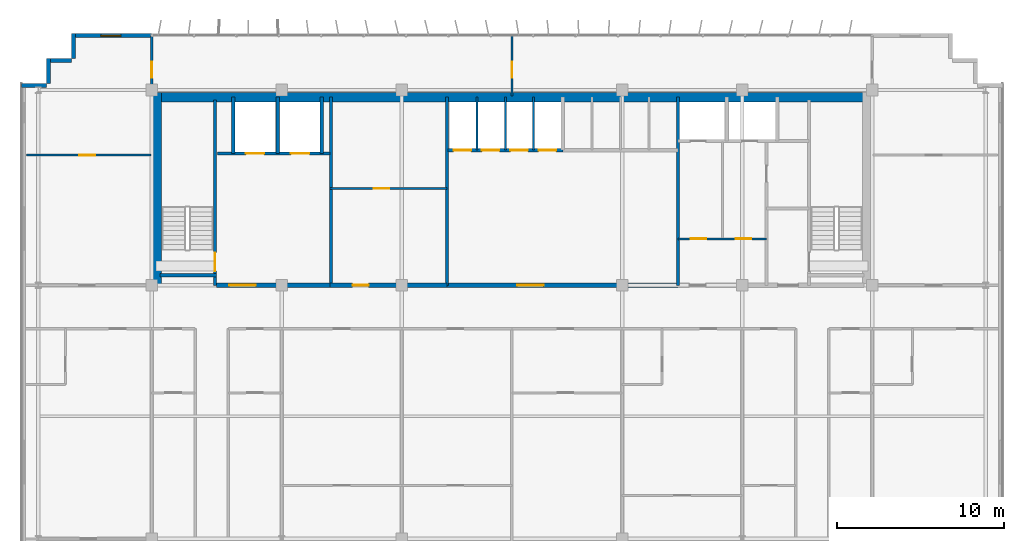
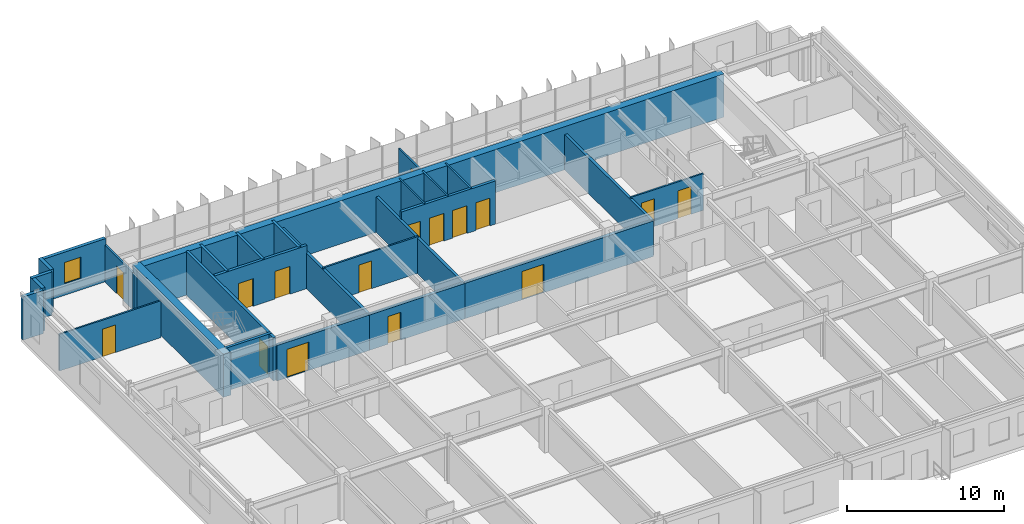
# One storey, part 17 of 20: 28 walls, 16 doors, 1 window, 17 openings.
"""IFC4 building model written with IfcOpenShell, lengths in metres."""

from ifc_helpers import new_model, si_unit, direction, frame, frame_2d, origin, place, context, subcontext, project, spatial, rectangle, extrude, source, transform, mapped, material, layer, layer_set, type_object, element, fill, save


model = new_model("IFC4")

# Units and contexts
model_context = context("Model", 3, precision=1e-05, world=origin(), true_north=direction((0.0, 1.0)))
body_context = subcontext(model_context, "Body", "Model", "MODEL_VIEW")
ifc_project = project(units=[si_unit("LENGTHUNIT", "METRE"), si_unit("AREAUNIT", "SQUARE_METRE"), si_unit("VOLUMEUNIT", "CUBIC_METRE"), si_unit("PLANEANGLEUNIT", "RADIAN"), si_unit("MASSUNIT", "GRAM", prefix="KILO")], contexts=[model_context])

# Site, building, storey
site_placement = place(None, origin())
site = spatial("IfcSite", under=ifc_project, at=site_placement, CompositionType="ELEMENT")
building_placement = place(site_placement, origin())
building = spatial("IfcBuilding", under=site, at=building_placement, Name="Trelvane Seafront Commons", CompositionType="ELEMENT")
storey_placement = place(building_placement, frame((0.0, 0.0, 168.10009765625)))
storey = spatial("IfcBuildingStorey", under=building, at=storey_placement, Name="L44", CompositionType="ELEMENT", Elevation=168.10009765625)

# Wall, opening, window
ifc_material_1 = material(Name="Precast concrete C40/50", Category="concrete")
ifc_layer_1 = layer(ifc_material_1, 0.239990234375, Name="ARCH-WALL-EXT240")
ifc_layer_set_1 = layer_set([ifc_layer_1], Name="Precast concrete C40/50")
wall_type_1 = type_object("IfcWallType", Name="ARCH-WALL-EXT240", PredefinedType="SOLIDWALL", material=ifc_layer_set_1)
wall_1_placement = place(storey_placement, frame((10.89990234375, 48.3701171875, 0.0), z_axis=(0.0, 0.0, 1.0), x_axis=(1.0, 0.0, 0.0)))
wall_1 = element("IfcWall", 1, at=wall_1_placement, inside=storey, type_object=wall_type_1, Name="EW-L44-NW-0863", PredefinedType="SOLIDWALL", context=body_context, shape_type="SweptSolid", body=[
    extrude(rectangle(XDim=4.7001953125, YDim=0.239990234375, at=frame_2d((2.35009765625, 0.0))), origin(), (0.0, 0.0, 1.0), 3.349853515625),
])
opening_1_placement = place(wall_1_placement, frame((1.658935546875, 0.0, 0.89990234375)))
opening_1 = element("IfcOpeningElement", 2, at=opening_1_placement, cuts=wall_1, Name="Opening W05", PredefinedType="OPENING", context=body_context, shape_type="SweptSolid", body=[
    extrude(rectangle(XDim=1.199951171875, YDim=1.64990234375, at=frame_2d((0.60009765625, 0.824951171875))), frame((0.0, 0.1298828125, 0.0), z_axis=(0.0, -1.0, 0.0), x_axis=(1.0, 0.0, 0.0)), (0.0, 0.0, 1.0), 0.260009765625),
])
ifc_material_2 = material(Name="Low-E coastal double glazing", Category="glass")
window_type = type_object("IfcWindowType", Name="ARCH-WIN-W05", PartitioningType="SINGLE_PANEL", PredefinedType="WINDOW", material=ifc_material_2)
shared_shape_1 = source(origin(), body_context, "Body", "SweptSolid", [
    extrude(rectangle(XDim=1.199951171875, YDim=1.64990234375, at=frame_2d((0.60009765625, 0.824951171875))), frame((0.0, 0.030029296875, 0.0), z_axis=(0.0, -1.0, 0.0), x_axis=(1.0, 0.0, 0.0)), (0.0, 0.0, 1.0), 0.06005859375),
])
window_placement = place(opening_1_placement, origin())
window = element("IfcWindow", 3, at=window_placement, inside=storey, type_object=window_type, Name="WIN-L44-01038", OverallHeight=1.64990234375, OverallWidth=1.199951171875, PartitioningType="SINGLE_PANEL", PredefinedType="WINDOW", context=body_context, shape_type="MappedRepresentation", body=[
    mapped(shared_shape_1, transform((0.0, 0.0, 0.0), x_axis=(1.0, 0.0, 0.0), y_axis=(0.0, 1.0, 0.0), z_axis=(0.0, 0.0, 1.0), scale=1.0)),
])
fill(opening_1, window)

# Walls
for number, where, z_axis, x_axis, name in (
    (4, (7.800048828125, 45.3798828125, 0.0), (0.0, 0.0, 1.0), (1.0, 0.0, 0.0), "EW-L44-00869"),
    (5, (9.419921875, 45.5, 0.0), (0.0, 0.0, 1.0), (0.0, 1.0, 0.0), "EW-L44-00870"),
    (6, (9.300048828125, 46.8798828125, 0.0), (0.0, 0.0, 1.0), (1.0, 0.0, 0.0), "EW-L44-00871"),
    (7, (10.919921875, 47.0, 0.0), (0.0, 0.0, 1.0), (0.0, 1.0, 0.0), "EW-L44-00872"),
):
    element("IfcWall", number, at=place(storey_placement, frame(where, z_axis=z_axis, x_axis=x_axis)), inside=storey, type_object=wall_type_1, Name=name, PredefinedType="SOLIDWALL", context=body_context, shape_type="SweptSolid", body=[
        extrude(rectangle(XDim=1.5, YDim=0.239990234375, at=frame_2d((0.75, 0.0))), origin(), (0.0, 0.0, 1.0), 3.349853515625),
    ])

# Wall, opening, door
ifc_material_3 = material(Name="Concrete C40/50", Category="concrete")
ifc_layer_2 = layer(ifc_material_3, 0.25, Name="ARCH-WALL-FIRE250")
ifc_layer_set_2 = layer_set([ifc_layer_2], Name="Concrete C40/50")
wall_type_2 = type_object("IfcWallType", Name="ARCH-WALL-FIRE250", PredefinedType="PARTITIONING", material=ifc_layer_set_2)
wall_2_placement = place(storey_placement, frame((19.5, 33.39990234375, 0.0), z_axis=(0.0, 0.0, 1.0), x_axis=(1.0, 0.0, 0.0)))
wall_2 = element("IfcWall", 8, at=wall_2_placement, inside=storey, type_object=wall_type_2, Name="W-L44-CS-FFL-013", PredefinedType="PARTITIONING", context=body_context, shape_type="SweptSolid", body=[
    extrude(rectangle(XDim=6.800048828125, YDim=0.25, at=frame_2d((3.39990234375, 0.0))), origin(), (0.0, 0.0, 1.0), 2.75),
])
opening_2_placement = place(wall_2_placement, frame((0.75, 0.0, 0.0)))
opening_2 = element("IfcOpeningElement", 9, at=opening_2_placement, cuts=wall_2, Name="Opening FD-L44-05", PredefinedType="OPENING", context=body_context, shape_type="SweptSolid", body=[
    extrude(rectangle(XDim=1.60009765625, YDim=2.199951171875, at=frame_2d((0.800048828125, 1.10009765625))), frame((0.0, 0.135009765625, 0.0), z_axis=(0.0, -1.0, 0.0), x_axis=(1.0, 0.0, 0.0)), (0.0, 0.0, 1.0), 0.27001953125),
])
ifc_material_4 = material(Name="Powder-coated aluminium frame", Category="aluminium")
door_type_1 = type_object("IfcDoorType", Name="ARCH-DR-FD60-1600", OperationType="DOUBLE_DOOR_SINGLE_SWING", PredefinedType="DOOR", material=ifc_material_4)
shared_shape_2 = source(origin(), body_context, "Body", "SweptSolid", [
    extrude(rectangle(XDim=1.60009765625, YDim=2.199951171875, at=frame_2d((0.800048828125, 1.10009765625))), frame((0.0, 0.02490234375, 0.0), z_axis=(0.0, -1.0, 0.0), x_axis=(1.0, 0.0, 0.0)), (0.0, 0.0, 1.0), 0.050048828125),
])
door_1_placement = place(opening_2_placement, origin())
door_1 = element("IfcDoor", 10, at=door_1_placement, inside=storey, type_object=door_type_1, Name="L44 Firefighting Lift Lobby Double Fire Door", OperationType="DOUBLE_DOOR_SINGLE_SWING", OverallHeight=2.199951171875, OverallWidth=1.60009765625, PredefinedType="DOOR", context=body_context, shape_type="MappedRepresentation", body=[
    mapped(shared_shape_2, transform((0.0, 0.0, 0.0), x_axis=(1.0, 0.0, 0.0), y_axis=(0.0, 1.0, 0.0), z_axis=(0.0, 0.0, 1.0), scale=1.0)),
])
fill(opening_2, door_1)

wall_3_placement = place(storey_placement, frame((26.300048828125, 33.39990234375, 0.0), z_axis=(0.0, 0.0, 1.0), x_axis=(1.0, 0.0, 0.0)))
wall_3 = element("IfcWall", 11, at=wall_3_placement, inside=storey, type_object=wall_type_2, Name="W-L44-CS-FPL-026", PredefinedType="PARTITIONING", context=body_context, shape_type="SweptSolid", body=[
    extrude(rectangle(XDim=7.0, YDim=0.25, at=frame_2d((3.5, 0.0))), origin(), (0.0, 0.0, 1.0), 2.75),
])
opening_3_placement = place(wall_3_placement, frame((1.35009765625, 0.0, 0.0)))
opening_3 = element("IfcOpeningElement", 12, at=opening_3_placement, cuts=wall_3, Name="Opening D-L44-11", PredefinedType="OPENING", context=body_context, shape_type="SweptSolid", body=[
    extrude(rectangle(XDim=0.949951171875, YDim=2.14990234375, at=frame_2d((0.47509765625, 1.074951171875))), frame((0.0, 0.135009765625, 0.0), z_axis=(0.0, -1.0, 0.0), x_axis=(1.0, 0.0, 0.0)), (0.0, 0.0, 1.0), 0.27001953125),
])
ifc_material_5 = material(Name="Acoustic timber door leaf", Category="wood")
door_type_2 = type_object("IfcDoorType", Name="ARCH-DR-INT950", OperationType="NOTDEFINED", PredefinedType="DOOR", material=ifc_material_5)
shared_shape_3 = source(origin(), body_context, "Body", "SweptSolid", [
    extrude(rectangle(XDim=0.949951171875, YDim=2.14990234375, at=frame_2d((0.47509765625, 1.074951171875))), frame((0.0, 0.02490234375, 0.0), z_axis=(0.0, -1.0, 0.0), x_axis=(1.0, 0.0, 0.0)), (0.0, 0.0, 1.0), 0.050048828125),
])
door_2_placement = place(opening_3_placement, origin())
door_2 = element("IfcDoor", 13, at=door_2_placement, inside=storey, type_object=door_type_2, Name="L44 Floor Pantry Entrance Door", OperationType="SINGLE_SWING_LEFT", OverallHeight=2.14990234375, OverallWidth=0.949951171875, PredefinedType="DOOR", context=body_context, shape_type="MappedRepresentation", body=[
    mapped(shared_shape_3, transform((0.0, 0.0, 0.0), x_axis=(1.0, 0.0, 0.0), y_axis=(0.0, 1.0, 0.0), z_axis=(0.0, 0.0, 1.0), scale=1.0)),
])
fill(opening_3, door_2)

wall_4_placement = place(storey_placement, frame((33.300048828125, 33.39990234375, 0.0), z_axis=(0.0, 0.0, 1.0), x_axis=(1.0, 0.0, 0.0)))
wall_4 = element("IfcWall", 14, at=wall_4_placement, inside=storey, type_object=wall_type_2, Name="W-L44-CS-PAX-027", PredefinedType="PARTITIONING", context=body_context, shape_type="SweptSolid", body=[
    extrude(rectangle(XDim=13.849853515625, YDim=0.25, at=frame_2d((6.9248046875, 0.0))), origin(), (0.0, 0.0, 1.0), 2.75),
])
opening_4_placement = place(wall_4_placement, frame((4.199951171875, 0.0, 0.0)))
opening_4 = element("IfcOpeningElement", 15, at=opening_4_placement, cuts=wall_4, Name="Opening FD-L44-12", PredefinedType="OPENING", context=body_context, shape_type="SweptSolid", body=[
    extrude(rectangle(XDim=1.60009765625, YDim=2.199951171875, at=frame_2d((0.800048828125, 1.10009765625))), frame((0.0, 0.135009765625, 0.0), z_axis=(0.0, -1.0, 0.0), x_axis=(1.0, 0.0, 0.0)), (0.0, 0.0, 1.0), 0.27001953125),
])
door_3_placement = place(opening_4_placement, origin())
door_3 = element("IfcDoor", 16, at=door_3_placement, inside=storey, type_object=door_type_1, Name="L44 Passenger Lift Lobby Double Door", OperationType="DOUBLE_DOOR_SINGLE_SWING", OverallHeight=2.199951171875, OverallWidth=1.60009765625, PredefinedType="DOOR", context=body_context, shape_type="MappedRepresentation", body=[
    mapped(shared_shape_2, transform((0.0, 0.0, 0.0), x_axis=(1.0, 0.0, 0.0), y_axis=(0.0, 1.0, 0.0), z_axis=(0.0, 0.0, 1.0), scale=1.0)),
])
fill(opening_4, door_3)

ifc_material_6 = material(Name="Gypsum Drywall Acoustic Partition")
ifc_layer_3 = layer(ifc_material_6, 0.1201171875, Name="ARCH-WALL-PART120")
ifc_layer_set_3 = layer_set([ifc_layer_3], Name="Gypsum Drywall Acoustic Partition")
wall_type_3 = type_object("IfcWallType", Name="ARCH-WALL-PART120", PredefinedType="PARTITIONING", material=ifc_layer_set_3)
wall_5_placement = place(storey_placement, frame((26.300048828125, 39.199951171875, 0.0), z_axis=(0.0, 0.0, 1.0), x_axis=(1.0, 0.0, 0.0)))
wall_5 = element("IfcWall", 17, at=wall_5_placement, inside=storey, type_object=wall_type_3, Name="W-L44-FREED-PL-MID-014", PredefinedType="PARTITIONING", context=body_context, shape_type="SweptSolid", body=[
    extrude(rectangle(XDim=7.0, YDim=0.1201171875, at=frame_2d((3.5, 0.0))), origin(), (0.0, 0.0, 1.0), 2.849853515625),
])
opening_5_placement = place(wall_5_placement, frame((2.60009765625, 0.0, 0.0)))
opening_5 = element("IfcOpeningElement", 18, at=opening_5_placement, cuts=wall_5, Name="Opening D-L44-06", PredefinedType="OPENING", context=body_context, shape_type="SweptSolid", body=[
    extrude(rectangle(XDim=0.949951171875, YDim=2.14990234375, at=frame_2d((0.47509765625, 1.074951171875))), frame((0.0, 0.070068359375, 0.0), z_axis=(0.0, -1.0, 0.0), x_axis=(1.0, 0.0, 0.0)), (0.0, 0.0, 1.0), 0.14013671875),
])
door_4_placement = place(opening_5_placement, origin())
door_4 = element("IfcDoor", 19, at=door_4_placement, inside=storey, type_object=door_type_2, Name="L44 Housekeeping Store Door", OperationType="SINGLE_SWING_RIGHT", OverallHeight=2.14990234375, OverallWidth=0.949951171875, PredefinedType="DOOR", context=body_context, shape_type="MappedRepresentation", body=[
    mapped(shared_shape_3, transform((0.0, 0.0, 0.0), x_axis=(1.0, 0.0, 0.0), y_axis=(0.0, 1.0, 0.0), z_axis=(0.0, 0.0, 1.0), scale=1.0)),
])
fill(opening_5, door_4)

# Walls
for number, where, z_axis, x_axis, name in (
    (20, (35.10009765625, 41.5, 0.0), (0.0, 0.0, 1.0), (0.0, 1.0, 0.0), "W-L44-PM-DIV1-017"),
    (21, (36.800048828125, 41.5, 0.0), (0.0, 0.0, 1.0), (0.0, 1.0, 0.0), "W-L44-PM-DIV2-018"),
    (22, (38.5, 41.5, 0.0), (0.0, 0.0, 1.0), (0.0, 1.0, 0.0), "W-L44-PM-DIV3-019"),
):
    element("IfcWall", number, at=place(storey_placement, frame(where, z_axis=z_axis, x_axis=x_axis)), inside=storey, type_object=wall_type_3, Name=name, PredefinedType="PARTITIONING", context=body_context, shape_type="SweptSolid", body=[
        extrude(rectangle(XDim=3.199951171875, YDim=0.1201171875, at=frame_2d((1.60009765625, 0.0))), origin(), (0.0, 0.0, 1.0), 3.349853515625),
    ])

# Wall, openings, doors
wall_6_placement = place(storey_placement, frame((47.14990234375, 36.179931640625, 0.0), z_axis=(0.0, 0.0, 1.0), x_axis=(1.0, 0.0, 0.0)))
wall_6 = element("IfcWall", 23, at=wall_6_placement, inside=storey, type_object=wall_type_3, Name="W-L44-CYC1-H-033", PredefinedType="PARTITIONING", context=body_context, shape_type="SweptSolid", body=[
    extrude(rectangle(XDim=5.300048828125, YDim=0.1201171875, at=frame_2d((2.64990234375, 0.0))), origin(), (0.0, 0.0, 1.0), 2.849853515625),
])
opening_6_placement = place(wall_6_placement, frame((0.75, 0.0, 0.0)))
opening_6 = element("IfcOpeningElement", 24, at=opening_6_placement, cuts=wall_6, Name="Opening D-L44-16", PredefinedType="OPENING", context=body_context, shape_type="SweptSolid", body=[
    extrude(rectangle(XDim=0.949951171875, YDim=2.14990234375, at=frame_2d((0.47509765625, 1.074951171875))), frame((0.0, 0.070068359375, 0.0), z_axis=(0.0, -1.0, 0.0), x_axis=(1.0, 0.0, 0.0)), (0.0, 0.0, 1.0), 0.14013671875),
])
opening_7_placement = place(wall_6_placement, frame((3.449951171875, 0.0, 0.0)))
opening_7 = element("IfcOpeningElement", 25, at=opening_7_placement, cuts=wall_6, Name="Opening D-L44-17", PredefinedType="OPENING", context=body_context, shape_type="SweptSolid", body=[
    extrude(rectangle(XDim=0.949951171875, YDim=2.14990234375, at=frame_2d((0.47509765625, 1.074951171875))), frame((0.0, 0.070068359375, 0.0), z_axis=(0.0, -1.0, 0.0), x_axis=(1.0, 0.0, 0.0)), (0.0, 0.0, 1.0), 0.14013671875),
])
door_5_placement = place(opening_6_placement, origin())
door_5 = element("IfcDoor", 26, at=door_5_placement, inside=storey, type_object=door_type_2, Name="L44 Accessible WC Door", OperationType="SINGLE_SWING_RIGHT", OverallHeight=2.14990234375, OverallWidth=0.949951171875, PredefinedType="DOOR", context=body_context, shape_type="MappedRepresentation", body=[
    mapped(shared_shape_3, transform((0.0, 0.0, 0.0), x_axis=(1.0, 0.0, 0.0), y_axis=(0.0, 1.0, 0.0), z_axis=(0.0, 0.0, 1.0), scale=1.0)),
])
fill(opening_6, door_5)
door_6_placement = place(opening_7_placement, origin())
door_6 = element("IfcDoor", 27, at=door_6_placement, inside=storey, type_object=door_type_2, Name="L44 BMS Room Door", OperationType="SINGLE_SWING_LEFT", OverallHeight=2.14990234375, OverallWidth=0.949951171875, PredefinedType="DOOR", context=body_context, shape_type="MappedRepresentation", body=[
    mapped(shared_shape_3, transform((0.0, 0.0, 0.0), x_axis=(1.0, 0.0, 0.0), y_axis=(0.0, 1.0, 0.0), z_axis=(0.0, 0.0, 1.0), scale=1.0)),
])
fill(opening_7, door_6)

# Wall, opening, door
wall_7_placement = place(storey_placement, frame((8.10009765625, 41.199951171875, 0.0), z_axis=(0.0, 0.0, 1.0), x_axis=(1.0, 0.0, 0.0)))
wall_7 = element("IfcWall", 28, at=wall_7_placement, inside=storey, type_object=wall_type_3, Name="W-L44-NW-LGDV-036", PredefinedType="PARTITIONING", context=body_context, shape_type="SweptSolid", body=[
    extrude(rectangle(XDim=7.449951171875, YDim=0.1201171875, at=frame_2d((3.72509765625, 0.0))), origin(), (0.0, 0.0, 1.0), 2.849853515625),
])
opening_8_placement = place(wall_7_placement, frame((3.156982421875, 0.0, 0.0)))
opening_8 = element("IfcOpeningElement", 29, at=opening_8_placement, cuts=wall_7, Name="Opening D-L44-20", PredefinedType="OPENING", context=body_context, shape_type="SweptSolid", body=[
    extrude(rectangle(XDim=0.949951171875, YDim=2.14990234375, at=frame_2d((0.47509765625, 1.074951171875))), frame((0.0, 0.070068359375, 0.0), z_axis=(0.0, -1.0, 0.0), x_axis=(1.0, 0.0, 0.0)), (0.0, 0.0, 1.0), 0.14013671875),
])
door_7_placement = place(opening_8_placement, origin())
door_7 = element("IfcDoor", 30, at=door_7_placement, inside=storey, type_object=door_type_2, Name="L44 Door 20", OperationType="SINGLE_SWING_RIGHT", OverallHeight=2.14990234375, OverallWidth=0.949951171875, PredefinedType="DOOR", context=body_context, shape_type="MappedRepresentation", body=[
    mapped(shared_shape_3, transform((0.0, 0.0, 0.0), x_axis=(1.0, 0.0, 0.0), y_axis=(0.0, 1.0, 0.0), z_axis=(0.0, 0.0, 1.0), scale=1.0)),
])
fill(opening_8, door_7)

wall_8_placement = place(storey_placement, frame((37.199951171875, 44.75, 0.0), z_axis=(0.0, 0.0, 1.0), x_axis=(0.0, 1.0, 0.0)))
wall_8 = element("IfcWall", 31, at=wall_8_placement, inside=storey, type_object=wall_type_3, Name="W-L44-N-MID-DV-040", PredefinedType="PARTITIONING", context=body_context, shape_type="SweptSolid", body=[
    extrude(rectangle(XDim=3.610107421875, YDim=0.1201171875, at=frame_2d((1.80517578125, 0.0))), origin(), (0.0, 0.0, 1.0), 2.75),
])
opening_9_placement = place(wall_8_placement, frame((1.10009765625, 0.0, 0.0)))
opening_9 = element("IfcOpeningElement", 32, at=opening_9_placement, cuts=wall_8, Name="Opening D-L44-24", PredefinedType="OPENING", context=body_context, shape_type="SweptSolid", body=[
    extrude(rectangle(XDim=0.949951171875, YDim=2.14990234375, at=frame_2d((0.47509765625, 1.074951171875))), frame((0.0, 0.070068359375, 0.0), z_axis=(0.0, -1.0, 0.0), x_axis=(1.0, 0.0, 0.0)), (0.0, 0.0, 1.0), 0.14013671875),
])
door_8_placement = place(opening_9_placement, origin())
door_8 = element("IfcDoor", 33, at=door_8_placement, inside=storey, type_object=door_type_2, Name="L44 Door 24", OperationType="SINGLE_SWING_RIGHT", OverallHeight=2.14990234375, OverallWidth=0.949951171875, PredefinedType="DOOR", context=body_context, shape_type="MappedRepresentation", body=[
    mapped(shared_shape_3, transform((0.0, 0.0, 0.0), x_axis=(1.0, 0.0, 0.0), y_axis=(0.0, 1.0, 0.0), z_axis=(0.0, 0.0, 1.0), scale=1.0)),
])
fill(opening_9, door_8)

ifc_layer_4 = layer(ifc_material_6, 0.14990234375, Name="ARCH-WALL-PART150")
ifc_layer_set_4 = layer_set([ifc_layer_4], Name="Gypsum Drywall Acoustic Partition")
wall_type_4 = type_object("IfcWallType", Name="ARCH-WALL-PART150", PredefinedType="PARTITIONING", material=ifc_layer_set_4)
wall_9_placement = place(storey_placement, frame((15.60009765625, 44.75, 0.0), z_axis=(0.0, 0.0, 1.0), x_axis=(0.0, 1.0, 0.0)))
wall_9 = element("IfcWall", 34, at=wall_9_placement, inside=storey, type_object=wall_type_4, Name="W-L44-N-LINK-W-041", PredefinedType="PARTITIONING", context=body_context, shape_type="SweptSolid", body=[
    extrude(rectangle(XDim=3.610107421875, YDim=0.14990234375, at=frame_2d((1.80517578125, 0.0))), origin(), (0.0, 0.0, 1.0), 2.849853515625),
])
opening_10_placement = place(wall_9_placement, frame((1.10009765625, 0.0, 0.0)))
opening_10 = element("IfcOpeningElement", 35, at=opening_10_placement, cuts=wall_9, Name="Opening FD-L44-25", PredefinedType="OPENING", context=body_context, shape_type="SweptSolid", body=[
    extrude(rectangle(XDim=0.949951171875, YDim=2.14990234375, at=frame_2d((0.47509765625, 1.074951171875))), frame((0.0, 0.0849609375, 0.0), z_axis=(0.0, -1.0, 0.0), x_axis=(1.0, 0.0, 0.0)), (0.0, 0.0, 1.0), 0.169921875),
])
door_type_3 = type_object("IfcDoorType", Name="ARCH-DR-FD60-950", OperationType="NOTDEFINED", PredefinedType="DOOR", material=ifc_material_4)
door_9_placement = place(opening_10_placement, origin())
door_9 = element("IfcDoor", 36, at=door_9_placement, inside=storey, type_object=door_type_3, Name="L44 Door 25", OperationType="SINGLE_SWING_LEFT", OverallHeight=2.14990234375, OverallWidth=0.949951171875, PredefinedType="DOOR", context=body_context, shape_type="MappedRepresentation", body=[
    mapped(shared_shape_3, transform((0.0, 0.0, 0.0), x_axis=(1.0, 0.0, 0.0), y_axis=(0.0, 1.0, 0.0), z_axis=(0.0, 0.0, 1.0), scale=1.0)),
])
fill(opening_10, door_9)

# Wall, openings, doors
ifc_layer_5 = layer(ifc_material_3, 0.199951171875, Name="ARCH-WALL-SHAFT200")
ifc_layer_set_5 = layer_set([ifc_layer_5], Name="Concrete C40/50")
wall_type_5 = type_object("IfcWallType", Name="ARCH-WALL-SHAFT200", PredefinedType="SOLIDWALL", material=ifc_layer_set_5)
wall_10_placement = place(storey_placement, frame((19.550048828125, 41.300048828125, 0.0), z_axis=(0.0, 0.0, 1.0), x_axis=(1.0, 0.0, 0.0)))
wall_10 = element("IfcWall", 37, at=wall_10_placement, inside=storey, type_object=wall_type_5, Name="W-L44-FFL-FRONT-008", PredefinedType="SOLIDWALL", context=body_context, shape_type="SweptSolid", body=[
    extrude(rectangle(XDim=6.75, YDim=0.199951171875, at=frame_2d((3.375, 0.0))), origin(), (0.0, 0.0, 1.0), 3.349853515625),
])
opening_11_placement = place(wall_10_placement, frame((1.699951171875, 0.0, 0.0)))
opening_11 = element("IfcOpeningElement", 38, at=opening_11_placement, cuts=wall_10, Name="Opening LD-FF1-L44", PredefinedType="OPENING", context=body_context, shape_type="SweptSolid", body=[
    extrude(rectangle(XDim=1.10009765625, YDim=2.14990234375, at=frame_2d((0.550048828125, 1.074951171875))), frame((0.0, 0.10986328125, 0.0), z_axis=(0.0, -1.0, 0.0), x_axis=(1.0, 0.0, 0.0)), (0.0, 0.0, 1.0), 0.219970703125),
])
opening_12_placement = place(wall_10_placement, frame((4.39990234375, 0.0, 0.0)))
opening_12 = element("IfcOpeningElement", 39, at=opening_12_placement, cuts=wall_10, Name="Opening LD-FF2-L44", PredefinedType="OPENING", context=body_context, shape_type="SweptSolid", body=[
    extrude(rectangle(XDim=1.10009765625, YDim=2.14990234375, at=frame_2d((0.550048828125, 1.074951171875))), frame((0.0, 0.10986328125, 0.0), z_axis=(0.0, -1.0, 0.0), x_axis=(1.0, 0.0, 0.0)), (0.0, 0.0, 1.0), 0.219970703125),
])
ifc_material_7 = material(Name="Stainless steel balustrade", Category="steel")
door_type_4 = type_object("IfcDoorType", Name="ARCH-DR-LD1100", OperationType="DOUBLE_DOOR_SLIDING", PredefinedType="DOOR", material=ifc_material_7)
shared_shape_4 = source(origin(), body_context, "Body", "SweptSolid", [
    extrude(rectangle(XDim=1.10009765625, YDim=2.14990234375, at=frame_2d((0.550048828125, 1.074951171875))), frame((0.0, 0.02490234375, 0.0), z_axis=(0.0, -1.0, 0.0), x_axis=(1.0, 0.0, 0.0)), (0.0, 0.0, 1.0), 0.050048828125),
])
door_10_placement = place(opening_11_placement, origin())
door_10 = element("IfcDoor", 40, at=door_10_placement, inside=storey, type_object=door_type_4, Name="L44 Firefighting Lift FFL-1 Landing Door", OperationType="DOUBLE_DOOR_SLIDING", OverallHeight=2.14990234375, OverallWidth=1.10009765625, PredefinedType="DOOR", context=body_context, shape_type="MappedRepresentation", body=[
    mapped(shared_shape_4, transform((0.0, 0.0, 0.0), x_axis=(1.0, 0.0, 0.0), y_axis=(0.0, 1.0, 0.0), z_axis=(0.0, 0.0, 1.0), scale=1.0)),
])
fill(opening_11, door_10)
door_11_placement = place(opening_12_placement, origin())
door_11 = element("IfcDoor", 41, at=door_11_placement, inside=storey, type_object=door_type_4, Name="L44 Firefighting Lift FFL-2 Landing Door", OperationType="DOUBLE_DOOR_SLIDING", OverallHeight=2.14990234375, OverallWidth=1.10009765625, PredefinedType="DOOR", context=body_context, shape_type="MappedRepresentation", body=[
    mapped(shared_shape_4, transform((0.0, 0.0, 0.0), x_axis=(1.0, 0.0, 0.0), y_axis=(0.0, 1.0, 0.0), z_axis=(0.0, 0.0, 1.0), scale=1.0)),
])
fill(opening_12, door_11)

# Walls
for number, where, z_axis, x_axis, name in (
    (42, (20.5, 41.300048828125, 0.0), (0.0, 0.0, 1.0), (0.0, 1.0, 0.0), "W-L44-FFL-SH-W-009"),
    (43, (23.14990234375, 41.300048828125, 0.0), (0.0, 0.0, 1.0), (0.0, 1.0, 0.0), "W-L44-FFL-DIV-010"),
    (44, (25.800048828125, 41.300048828125, 0.0), (0.0, 0.0, 1.0), (0.0, 1.0, 0.0), "W-L44-FFL-SH-E-011"),
):
    element("IfcWall", number, at=place(storey_placement, frame(where, z_axis=z_axis, x_axis=x_axis)), inside=storey, type_object=wall_type_5, Name=name, PredefinedType="SOLIDWALL", context=body_context, shape_type="SweptSolid", body=[
        extrude(rectangle(XDim=3.39990234375, YDim=0.199951171875, at=frame_2d((1.699951171875, 0.0))), origin(), (0.0, 0.0, 1.0), 3.349853515625),
    ])
for number, where, z_axis, x_axis, name in (
    (45, (26.35009765625, 33.39990234375, 0.0), (0.0, 0.0, 1.0), (0.0, 1.0, 0.0), "W-L44-FFL-EAST-012"),
    (46, (33.300048828125, 33.39990234375, 0.0), (0.0, 0.0, 1.0), (0.0, 1.0, 0.0), "W-L44-FREED-PL-E-015"),
):
    element("IfcWall", number, at=place(storey_placement, frame(where, z_axis=z_axis, x_axis=x_axis)), inside=storey, type_object=wall_type_5, Name=name, PredefinedType="SOLIDWALL", context=body_context, shape_type="SweptSolid", body=[
        extrude(rectangle(XDim=11.300048828125, YDim=0.199951171875, at=frame_2d((5.64990234375, 0.0))), origin(), (0.0, 0.0, 1.0), 2.75),
    ])

# Wall, openings, doors
wall_11_placement = place(storey_placement, frame((33.35009765625, 41.5, 0.0), z_axis=(0.0, 0.0, 1.0), x_axis=(1.0, 0.0, 0.0)))
wall_11 = element("IfcWall", 47, at=wall_11_placement, inside=storey, type_object=wall_type_5, Name="W-L44-PM-FRONT-016", PredefinedType="SOLIDWALL", context=body_context, shape_type="SweptSolid", body=[
    extrude(rectangle(XDim=6.89990234375, YDim=0.199951171875, at=frame_2d((3.449951171875, 0.0))), origin(), (0.0, 0.0, 1.0), 3.349853515625),
])
opening_13_placement = place(wall_11_placement, frame((0.35009765625, 0.0, 0.0)))
opening_13 = element("IfcOpeningElement", 48, at=opening_13_placement, cuts=wall_11, Name="Opening LD-PM1-L44", PredefinedType="OPENING", context=body_context, shape_type="SweptSolid", body=[
    extrude(rectangle(XDim=1.050048828125, YDim=2.14990234375, at=frame_2d((0.52490234375, 1.074951171875))), frame((0.0, 0.10986328125, 0.0), z_axis=(0.0, -1.0, 0.0), x_axis=(1.0, 0.0, 0.0)), (0.0, 0.0, 1.0), 0.219970703125),
])
opening_14_placement = place(wall_11_placement, frame((2.050048828125, 0.0, 0.0)))
opening_14 = element("IfcOpeningElement", 49, at=opening_14_placement, cuts=wall_11, Name="Opening LD-PM2-L44", PredefinedType="OPENING", context=body_context, shape_type="SweptSolid", body=[
    extrude(rectangle(XDim=1.050048828125, YDim=2.14990234375, at=frame_2d((0.52490234375, 1.074951171875))), frame((0.0, 0.10986328125, 0.0), z_axis=(0.0, -1.0, 0.0), x_axis=(1.0, 0.0, 0.0)), (0.0, 0.0, 1.0), 0.219970703125),
])
opening_15_placement = place(wall_11_placement, frame((3.75, 0.0, 0.0)))
opening_15 = element("IfcOpeningElement", 50, at=opening_15_placement, cuts=wall_11, Name="Opening LD-PM3-L44", PredefinedType="OPENING", context=body_context, shape_type="SweptSolid", body=[
    extrude(rectangle(XDim=1.050048828125, YDim=2.14990234375, at=frame_2d((0.52490234375, 1.074951171875))), frame((0.0, 0.10986328125, 0.0), z_axis=(0.0, -1.0, 0.0), x_axis=(1.0, 0.0, 0.0)), (0.0, 0.0, 1.0), 0.219970703125),
])
opening_16_placement = place(wall_11_placement, frame((5.449951171875, 0.0, 0.0)))
opening_16 = element("IfcOpeningElement", 51, at=opening_16_placement, cuts=wall_11, Name="Opening LD-PM4-L44", PredefinedType="OPENING", context=body_context, shape_type="SweptSolid", body=[
    extrude(rectangle(XDim=1.050048828125, YDim=2.14990234375, at=frame_2d((0.52490234375, 1.074951171875))), frame((0.0, 0.10986328125, 0.0), z_axis=(0.0, -1.0, 0.0), x_axis=(1.0, 0.0, 0.0)), (0.0, 0.0, 1.0), 0.219970703125),
])
door_type_5 = type_object("IfcDoorType", Name="ARCH-DR-LD1050", OperationType="DOUBLE_DOOR_SLIDING", PredefinedType="DOOR", material=ifc_material_7)
shared_shape_5 = source(origin(), body_context, "Body", "SweptSolid", [
    extrude(rectangle(XDim=1.050048828125, YDim=2.14990234375, at=frame_2d((0.52490234375, 1.074951171875))), frame((0.0, 0.02490234375, 0.0), z_axis=(0.0, -1.0, 0.0), x_axis=(1.0, 0.0, 0.0)), (0.0, 0.0, 1.0), 0.050048828125),
])
door_12_placement = place(opening_13_placement, origin())
door_12 = element("IfcDoor", 52, at=door_12_placement, inside=storey, type_object=door_type_5, Name="L44 Passenger Lift PM-1 Landing Door", OperationType="DOUBLE_DOOR_SLIDING", OverallHeight=2.14990234375, OverallWidth=1.050048828125, PredefinedType="DOOR", context=body_context, shape_type="MappedRepresentation", body=[
    mapped(shared_shape_5, transform((0.0, 0.0, 0.0), x_axis=(1.0, 0.0, 0.0), y_axis=(0.0, 1.0, 0.0), z_axis=(0.0, 0.0, 1.0), scale=1.0)),
])
fill(opening_13, door_12)
door_13_placement = place(opening_14_placement, origin())
door_13 = element("IfcDoor", 53, at=door_13_placement, inside=storey, type_object=door_type_5, Name="L44 Passenger Lift PM-2 Landing Door", OperationType="DOUBLE_DOOR_SLIDING", OverallHeight=2.14990234375, OverallWidth=1.050048828125, PredefinedType="DOOR", context=body_context, shape_type="MappedRepresentation", body=[
    mapped(shared_shape_5, transform((0.0, 0.0, 0.0), x_axis=(1.0, 0.0, 0.0), y_axis=(0.0, 1.0, 0.0), z_axis=(0.0, 0.0, 1.0), scale=1.0)),
])
fill(opening_14, door_13)
door_14_placement = place(opening_15_placement, origin())
door_14 = element("IfcDoor", 54, at=door_14_placement, inside=storey, type_object=door_type_5, Name="L44 Passenger Lift PM-3 Landing Door", OperationType="DOUBLE_DOOR_SLIDING", OverallHeight=2.14990234375, OverallWidth=1.050048828125, PredefinedType="DOOR", context=body_context, shape_type="MappedRepresentation", body=[
    mapped(shared_shape_5, transform((0.0, 0.0, 0.0), x_axis=(1.0, 0.0, 0.0), y_axis=(0.0, 1.0, 0.0), z_axis=(0.0, 0.0, 1.0), scale=1.0)),
])
fill(opening_15, door_14)
door_15_placement = place(opening_16_placement, origin())
door_15 = element("IfcDoor", 55, at=door_15_placement, inside=storey, type_object=door_type_5, Name="L44 Passenger Lift PM-4 Landing Door", OperationType="DOUBLE_DOOR_SLIDING", OverallHeight=2.14990234375, OverallWidth=1.050048828125, PredefinedType="DOOR", context=body_context, shape_type="MappedRepresentation", body=[
    mapped(shared_shape_5, transform((0.0, 0.0, 0.0), x_axis=(1.0, 0.0, 0.0), y_axis=(0.0, 1.0, 0.0), z_axis=(0.0, 0.0, 1.0), scale=1.0)),
])
fill(opening_16, door_15)

# Walls
wall_12_placement = place(storey_placement, frame((47.14990234375, 33.39990234375, 0.0), z_axis=(0.0, 0.0, 1.0), x_axis=(0.0, 1.0, 0.0)))
element("IfcWall", 56, at=wall_12_placement, inside=storey, type_object=wall_type_5, Name="W-L44-PH-EAST-025", PredefinedType="SOLIDWALL", context=body_context, shape_type="SweptSolid", body=[
    extrude(rectangle(XDim=11.300048828125, YDim=0.199951171875, at=frame_2d((5.64990234375, 0.0))), origin(), (0.0, 0.0, 1.0), 2.75),
])
ifc_material_8 = material(Name="Concrete C50/60", Category="concrete")
ifc_layer_6 = layer(ifc_material_8, 0.550048828125, Name="STR-WALL-CORE550")
ifc_layer_set_6 = layer_set([ifc_layer_6], Name="Concrete C50/60")
wall_type_6 = type_object("IfcWallType", Name="STR-WALL-CORE550", PredefinedType="SHEAR", material=ifc_layer_set_6)
wall_13_placement = place(storey_placement, frame((15.64990234375, 44.675048828125, 0.0), z_axis=(0.0, 0.0, 1.0), x_axis=(1.0, 0.0, 0.0)))
element("IfcWall", 57, at=wall_13_placement, inside=storey, type_object=wall_type_6, Name="W-L44-CN-ALL-001", PredefinedType="SHEAR", context=body_context, shape_type="SweptSolid", body=[
    extrude(rectangle(XDim=43.10009765625, YDim=0.550048828125, at=frame_2d((21.550048828125, 0.0))), origin(), (0.0, 0.0, 1.0), 3.349853515625),
])
wall_14_placement = place(storey_placement, frame((15.925048828125, 33.39990234375, 0.0), z_axis=(0.0, 0.0, 1.0), x_axis=(0.0, 1.0, 0.0)))
element("IfcWall", 58, at=wall_14_placement, inside=storey, type_object=wall_type_6, Name="W-L44-CW-END-002", PredefinedType="SHEAR", context=body_context, shape_type="SweptSolid", body=[
    extrude(rectangle(XDim=11.550048828125, YDim=0.550048828125, at=frame_2d((5.77490234375, 0.0))), origin(), (0.0, 0.0, 1.0), 3.349853515625),
])
ifc_layer_7 = layer(ifc_material_8, 0.199951171875, Name="STR-WALL-STAIR200")
ifc_layer_set_7 = layer_set([ifc_layer_7], Name="Concrete C50/60")
wall_type_7 = type_object("IfcWallType", Name="STR-WALL-STAIR200", PredefinedType="SHEAR", material=ifc_layer_set_7)
wall_15_placement = place(storey_placement, frame((16.10009765625, 34.0, 0.0), z_axis=(0.0, 0.0, 1.0), x_axis=(1.0, 0.0, 0.0)))
element("IfcWall", 59, at=wall_15_placement, inside=storey, type_object=wall_type_7, Name="W-L44-ST1-S-004", PredefinedType="SHEAR", context=body_context, shape_type="SweptSolid", body=[
    extrude(rectangle(XDim=3.39990234375, YDim=0.199951171875, at=frame_2d((1.699951171875, 0.0))), origin(), (0.0, 0.0, 1.0), 3.349853515625),
])

# Wall, opening, door
wall_16_placement = place(storey_placement, frame((19.39990234375, 33.39990234375, 0.0), z_axis=(0.0, 0.0, 1.0), x_axis=(0.0, 1.0, 0.0)))
wall_16 = element("IfcWall", 60, at=wall_16_placement, inside=storey, type_object=wall_type_7, Name="W-L44-ST1-E-005", PredefinedType="SHEAR", context=body_context, shape_type="SweptSolid", body=[
    extrude(rectangle(XDim=11.10009765625, YDim=0.199951171875, at=frame_2d((5.550048828125, 0.0))), origin(), (0.0, 0.0, 1.0), 3.349853515625),
])
opening_17_placement = place(wall_16_placement, frame((0.85009765625, 0.0, 0.0)))
opening_17 = element("IfcOpeningElement", 61, at=opening_17_placement, cuts=wall_16, Name="Opening ST-D1-L44", PredefinedType="OPENING", context=body_context, shape_type="SweptSolid", body=[
    extrude(rectangle(XDim=1.10009765625, YDim=2.14990234375, at=frame_2d((0.550048828125, 1.074951171875))), frame((0.0, 0.10986328125, 0.0), z_axis=(0.0, -1.0, 0.0), x_axis=(1.0, 0.0, 0.0)), (0.0, 0.0, 1.0), 0.219970703125),
])
door_type_6 = type_object("IfcDoorType", Name="ARCH-DR-FD90-1100", OperationType="NOTDEFINED", PredefinedType="DOOR", material=ifc_material_4)
door_16_placement = place(opening_17_placement, origin())
door_16 = element("IfcDoor", 62, at=door_16_placement, inside=storey, type_object=door_type_6, Name="L44 Stair ST-1 Lobby Fire Door", OperationType="SINGLE_SWING_LEFT", OverallHeight=2.14990234375, OverallWidth=1.10009765625, PredefinedType="DOOR", context=body_context, shape_type="MappedRepresentation", body=[
    mapped(shared_shape_4, transform((0.0, 0.0, 0.0), x_axis=(1.0, 0.0, 0.0), y_axis=(0.0, 1.0, 0.0), z_axis=(0.0, 0.0, 1.0), scale=1.0)),
])
fill(opening_17, door_16)

save(model, "model.ifc")
